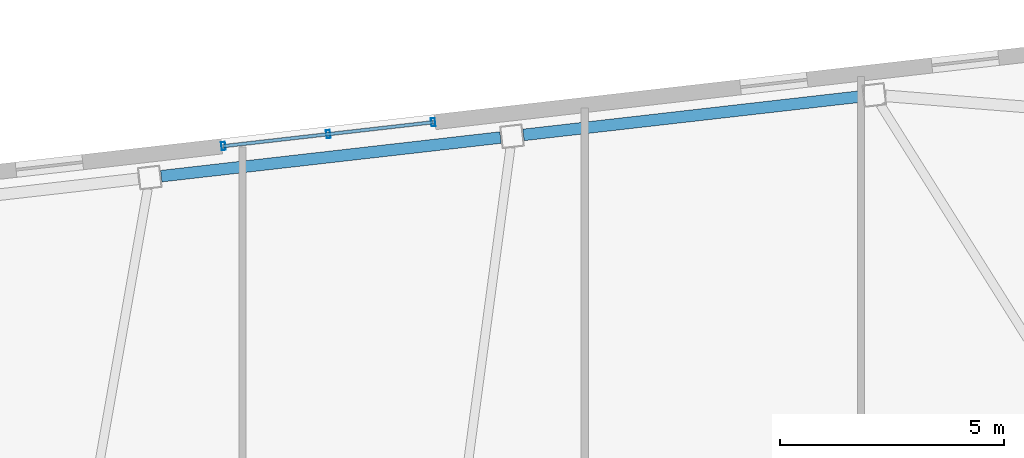
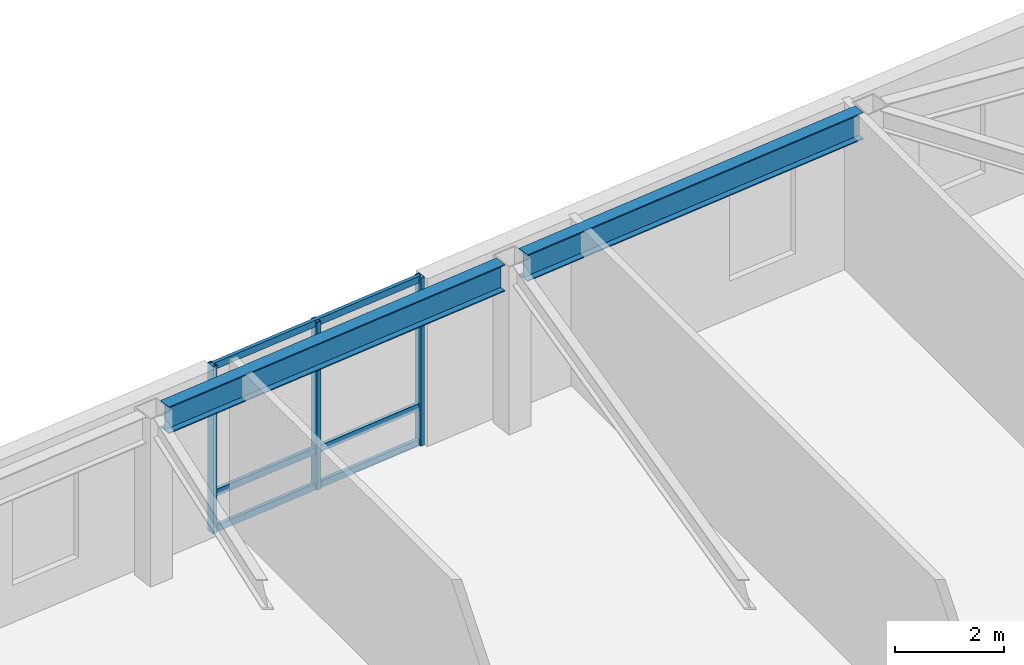
# One storey, part 10 of 19: 6 members, 2 beams, 1 element without a shape of its own.
"""IFC4 building model written with IfcOpenShell, lengths in metres."""

from ifc_helpers import new_model, si_unit, direction, frame, origin, origin_2d, place, context, subcontext, project, spatial, hollow_rectangle, i_section, extrude, material, layer, layer_set, material_profile, profile_set, type_object, element, aggregate, save


model = new_model("IFC4")

# Units and contexts
model_context = context("Model", 3, precision=1e-05, world=origin(), true_north=direction((0.0, 1.0)))
body_context = subcontext(model_context, "Body", "Model", "MODEL_VIEW")
ifc_project = project(units=[si_unit("LENGTHUNIT", "METRE"), si_unit("AREAUNIT", "SQUARE_METRE"), si_unit("VOLUMEUNIT", "CUBIC_METRE"), si_unit("PLANEANGLEUNIT", "RADIAN"), si_unit("MASSUNIT", "GRAM", prefix="KILO")], contexts=[model_context])

# Site, building, storey
site_placement = place(None, origin())
site = spatial("IfcSite", under=ifc_project, at=site_placement, CompositionType="ELEMENT")
building_placement = place(site_placement, origin())
building = spatial("IfcBuilding", under=site, at=building_placement, Name="Tavrogorsk Clinical Tower", CompositionType="ELEMENT")
storey_placement = place(building_placement, frame((0.0, 0.0, 259.0)))
storey = spatial("IfcBuildingStorey", under=building, at=storey_placement, Name="L60", CompositionType="ELEMENT", Elevation=259.0)

# Curtain wall, members
ifc_material_1 = material(Name="Anodised aluminium and triple IGU glazing", Category="aluminium")
ifc_layer = layer(ifc_material_1, 0.179931640625)
ifc_layer_set = layer_set([ifc_layer], Name="Anodised aluminium and triple IGU glazing")
curtain_wall_type = type_object("IfcCurtainWallType", Name="CW2_NorthSlot", PredefinedType="NOTDEFINED", material=ifc_layer_set)
curtain_wall_placement = place(storey_placement, origin())
curtain_wall = element("IfcCurtainWall", 1, at=curtain_wall_placement, inside=storey, type_object=curtain_wall_type, Name="L60 Curtain Wall CW-L60-N-SLOT-2", PredefinedType="NOTDEFINED")
ifc_material_2 = material(Name="Anodised aluminium alloy AW-6060", Category="aluminium")
ifc_material_profile_1 = material_profile(ifc_material_2, hollow_rectangle(XDim=0.090087890625, YDim=0.179931640625, WallThickness=0.00634765625, at=origin_2d()), Name="RHS-180x90x6.3")
ifc_profile_set_1 = profile_set([ifc_material_profile_1], Name="Anodised aluminium alloy AW-6060")
member_type_1 = type_object("IfcMemberType", Name="CwMullion_180x90", PredefinedType="MULLION", material=ifc_profile_set_1)
member_1_placement = place(storey_placement, frame((5.410400390625, 27.270263671875, 0.0), z_axis=(0.0, 0.0, 1.0), x_axis=(-0.993571855603, -0.11320321441, 0.0)))
member_1 = element("IfcMember", 2, at=member_1_placement, type_object=member_type_1, Name="CW-L60-N-SLOT-2 Mullion 1", PredefinedType="MULLION", context=body_context, shape_type="SweptSolid", body=[
    extrude(hollow_rectangle(XDim=0.090087890625, YDim=0.179931640625, WallThickness=0.00634765625, at=origin_2d()), origin(), (0.0, 0.0, 1.0), 3.739990234375),
])
member_2_placement = place(storey_placement, frame((3.06640625, 27.003173828125, 0.0), z_axis=(0.0, 0.0, 1.0), x_axis=(-0.993571855603, -0.11320321441, 0.0)))
member_2 = element("IfcMember", 3, at=member_2_placement, type_object=member_type_1, Name="CW-L60-N-SLOT-2 Mullion 2", PredefinedType="MULLION", context=body_context, shape_type="SweptSolid", body=[
    extrude(hollow_rectangle(XDim=0.090087890625, YDim=0.179931640625, WallThickness=0.00634765625, at=origin_2d()), origin(), (0.0, 0.0, 1.0), 3.739990234375),
])
member_3_placement = place(storey_placement, frame((0.72265625, 26.736083984375, 0.0), z_axis=(0.0, 0.0, 1.0), x_axis=(-0.993571855603, -0.11320321441, 0.0)))
member_3 = element("IfcMember", 4, at=member_3_placement, type_object=member_type_1, Name="CW-L60-N-SLOT-2 Mullion 3", PredefinedType="MULLION", context=body_context, shape_type="SweptSolid", body=[
    extrude(hollow_rectangle(XDim=0.090087890625, YDim=0.179931640625, WallThickness=0.00634765625, at=origin_2d()), origin(), (0.0, 0.0, 1.0), 3.739990234375),
])
ifc_material_3 = material(Name="Anodised aluminium alloy AW-6060", Category="aluminium")
ifc_material_profile_2 = material_profile(ifc_material_3, hollow_rectangle(XDim=0.074951171875, YDim=0.14990234375, WallThickness=0.0048828125, at=origin_2d()), Name="RHS-150x75x5")
ifc_profile_set_2 = profile_set([ifc_material_profile_2], Name="Anodised aluminium alloy AW-6060")
member_type_2 = type_object("IfcMemberType", Name="CwTransom_150x75", PredefinedType="USERDEFINED", material=ifc_profile_set_2)
member_4_placement = place(storey_placement, frame((5.410400390625, 27.270263671875, 0.050048828125), z_axis=(-0.993569979218, -0.113219682023, 0.0), x_axis=(0.113219682023, -0.993569979218, 0.0)))
member_4 = element("IfcMember", 5, at=member_4_placement, type_object=member_type_2, Name="CW-L60-N-SLOT-2 Transom 1", ObjectType="TRANSOM", PredefinedType="USERDEFINED", context=body_context, shape_type="SweptSolid", body=[
    extrude(hollow_rectangle(XDim=0.074951171875, YDim=0.14990234375, WallThickness=0.0048828125, at=origin_2d()), origin(), (0.0, 0.0, 1.0), 4.718017578125),
])
member_5_placement = place(storey_placement, frame((5.410400390625, 27.270263671875, 0.85009765625), z_axis=(-0.993569979218, -0.113219682023, 0.0), x_axis=(0.113219682023, -0.993569979218, 0.0)))
member_5 = element("IfcMember", 6, at=member_5_placement, type_object=member_type_2, Name="CW-L60-N-SLOT-2 Transom 2", ObjectType="TRANSOM", PredefinedType="USERDEFINED", context=body_context, shape_type="SweptSolid", body=[
    extrude(hollow_rectangle(XDim=0.074951171875, YDim=0.14990234375, WallThickness=0.0048828125, at=origin_2d()), origin(), (0.0, 0.0, 1.0), 4.718017578125),
])
member_6_placement = place(storey_placement, frame((5.410400390625, 27.270263671875, 3.68994140625), z_axis=(-0.993569979218, -0.113219682023, 0.0), x_axis=(0.113219682023, -0.993569979218, 0.0)))
member_6 = element("IfcMember", 7, at=member_6_placement, type_object=member_type_2, Name="CW-L60-N-SLOT-2 Transom 3", ObjectType="TRANSOM", PredefinedType="USERDEFINED", context=body_context, shape_type="SweptSolid", body=[
    extrude(hollow_rectangle(XDim=0.074951171875, YDim=0.14990234375, WallThickness=0.0048828125, at=origin_2d()), origin(), (0.0, 0.0, 1.0), 4.718017578125),
])
aggregate(curtain_wall, [member_1, member_2, member_3, member_4, member_5, member_6])

# Beams
ifc_material_4 = material(Name="Structural steel S390", Category="steel")
ifc_material_profile_3 = material_profile(ifc_material_4, i_section(OverallWidth=0.260009765625, OverallDepth=0.60009765625, WebThickness=0.014892578125, FlangeThickness=0.02392578125, at=origin_2d()), Name="B-600x260x15x24")
ifc_profile_set_3 = profile_set([ifc_material_profile_3], Name="Structural steel S390")
beam_type = type_object("IfcBeamType", Name="SpandrelBeam_B600", PredefinedType="SPANDREL", material=ifc_profile_set_3)
for number, where, z_axis, x_axis, name in (
    (8, (15.01220703125, 27.850830078125, 3.43994140625), (-0.993572099834, -0.113201070804, 0.0), (0.113201070804, -0.993572099834, 0.0), "L60 Perimeter Spandrel N2-N3"),
    (9, (6.916015625, 26.928466796875, 3.43994140625), (-0.993572099834, -0.113201070804, 0.0), (0.113201070804, -0.993572099834, 0.0), "L60 Perimeter Spandrel N3-N4"),
):
    element("IfcBeam", number, at=place(storey_placement, frame(where, z_axis=z_axis, x_axis=x_axis)), inside=storey, type_object=beam_type, Name=name, PredefinedType="SPANDREL", context=body_context, shape_type="SweptSolid", body=[
        extrude(i_section(OverallWidth=0.260009765625, OverallDepth=0.60009765625, WebThickness=0.014892578125, FlangeThickness=0.02392578125, at=origin_2d()), origin(), (0.0, 0.0, 1.0), 7.632568359375),
    ])

save(model, "model.ifc")
